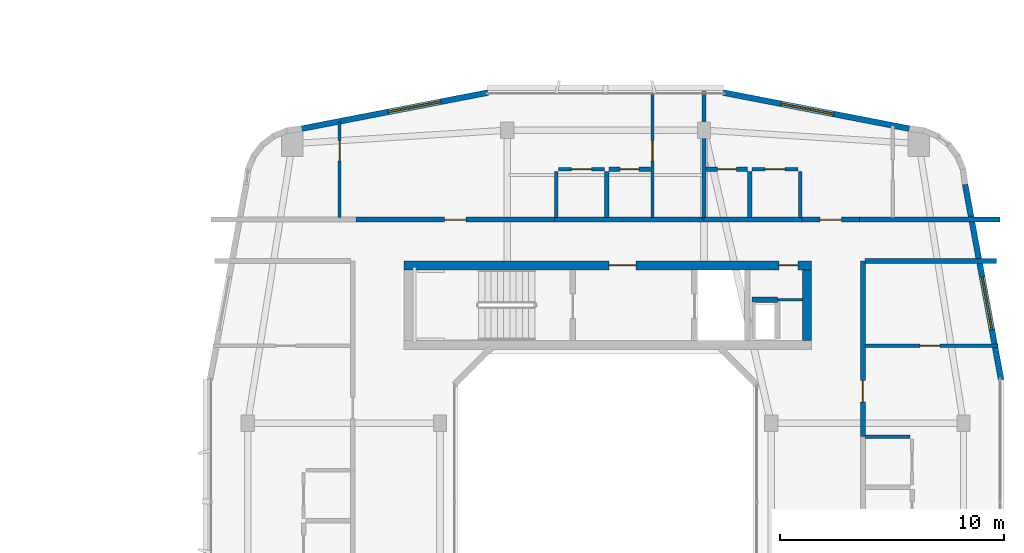
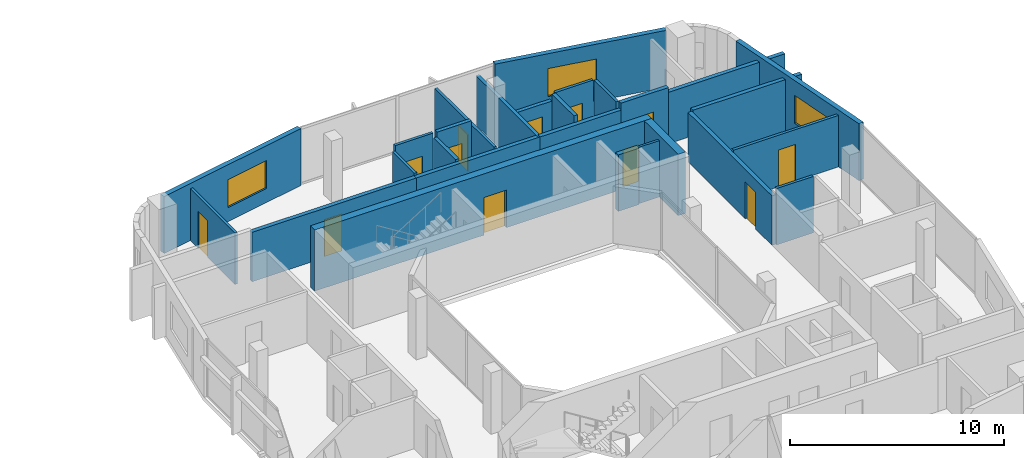
# One storey, part 19 of 26: 27 walls, 12 doors, 3 windows, 15 openings.
"""IFC4 building model written with IfcOpenShell, lengths in metres."""

from ifc_helpers import new_model, si_unit, derived_unit, direction, frame, frame_2d, origin, place, context, subcontext, project, spatial, rectangle, extrude, material, layer, layer_set, type_object, element, fill, save


model = new_model("IFC4")

# Units and contexts
model_context = context("Model", 3, precision=1e-05, world=origin(), true_north=direction((0.0, 1.0)))
body_context = subcontext(model_context, "Body", "Model", "MODEL_VIEW")
ifc_project = project(units=[si_unit("LENGTHUNIT", "METRE"), si_unit("AREAUNIT", "SQUARE_METRE"), si_unit("VOLUMEUNIT", "CUBIC_METRE"), si_unit("PLANEANGLEUNIT", "RADIAN"), si_unit("MASSUNIT", "GRAM", prefix="KILO"), derived_unit("THERMALTRANSMITTANCEUNIT", [(si_unit("POWERUNIT", "WATT"), 1), (si_unit("LENGTHUNIT", "METRE"), -2), (si_unit("THERMODYNAMICTEMPERATUREUNIT", "KELVIN"), -1)])], contexts=[model_context])

# Site, building, storey
site_placement = place(None, origin())
site = spatial("IfcSite", under=ifc_project, at=site_placement, CompositionType="ELEMENT")
building_placement = place(site_placement, origin())
building = spatial("IfcBuilding", under=site, at=building_placement, Name="Kivonza Crest Hotel", CompositionType="ELEMENT")
storey_placement = place(building_placement, frame((0.0, 0.0, 95.0)))
storey = spatial("IfcBuildingStorey", under=building, at=storey_placement, Name="L25", CompositionType="ELEMENT", Elevation=95.0)

# Walls
ifc_material_1 = material(Name="High-density acoustic masonry inter-tenancy wall", Category="masonry")
ifc_layer_1 = layer(ifc_material_1, 0.179931640625)
ifc_layer_set_1 = layer_set([ifc_layer_1], Name="High-density acoustic masonry inter-tenancy wall")
wall_type_1 = type_object("IfcWallType", Name="WL-ACOU-180", PredefinedType="SOLIDWALL", material=ifc_layer_set_1)
wall_1_placement = place(storey_placement, frame((81.39990234375, 37.60009765625, 0.0), z_axis=(0.0, 0.0, 1.0), x_axis=(0.0, 1.0, 0.0)))
element("IfcWall", 1, at=wall_1_placement, inside=storey, type_object=wall_type_1, Name="L25 interior partition WA-L25-T2N-DIV1", PredefinedType="SOLIDWALL", context=body_context, shape_type="SweptSolid", body=[
    extrude(rectangle(XDim=5.739990234375, YDim=0.179931640625, at=frame_2d((2.8701171875, 0.0))), origin(), (0.0, 0.0, 1.0), 2.824951171875),
])
ifc_material_2 = material(Name="Autoclaved aerated concrete blockwork", Category="masonry")
ifc_layer_2 = layer(ifc_material_2, 0.219970703125)
ifc_layer_set_2 = layer_set([ifc_layer_2], Name="Autoclaved aerated concrete blockwork")
wall_type_2 = type_object("IfcWallType", Name="WL-ACOU-220", PredefinedType="SOLIDWALL", material=ifc_layer_set_2)
wall_2_placement = place(storey_placement, frame((74.719970703125, 37.60009765625, 0.0), z_axis=(0.0, 0.0, 1.0), x_axis=(1.0, 0.0, 0.0)))
element("IfcWall", 2, at=wall_2_placement, inside=storey, type_object=wall_type_2, Name="L25 interior partition WA-L25-A01-RCORR", PredefinedType="SOLIDWALL", context=body_context, shape_type="SweptSolid", body=[
    extrude(rectangle(XDim=6.679931640625, YDim=0.219970703125, at=frame_2d((3.33984375, 0.0))), origin(), (0.0, 0.0, 1.0), 2.824951171875),
])

# Wall, opening, door
wall_3_placement = place(storey_placement, frame((65.85009765625, 37.60009765625, 0.0), z_axis=(0.0, 0.0, 1.0), x_axis=(1.0, 0.0, 0.0)))
wall_3 = element("IfcWall", 3, at=wall_3_placement, inside=storey, type_object=wall_type_2, Name="L25 interior partition WA-L25-A01-MCORR", PredefinedType="SOLIDWALL", context=body_context, shape_type="SweptSolid", body=[
    extrude(rectangle(XDim=8.869873046875, YDim=0.219970703125, at=frame_2d((4.43505859375, 0.0))), origin(), (0.0, 0.0, 1.0), 2.824951171875),
])
opening_1_placement = place(wall_3_placement, frame((3.9599609375, 0.0, 0.0)))
opening_1 = element("IfcOpeningElement", 4, at=opening_1_placement, cuts=wall_3, Name="Opening DU-60", PredefinedType="OPENING", context=body_context, shape_type="SweptSolid", body=[
    extrude(rectangle(XDim=0.949951171875, YDim=2.10009765625, at=frame_2d((0.47509765625, 1.050048828125))), frame((0.0, 0.1201171875, 0.0), z_axis=(0.0, -1.0, 0.0), x_axis=(1.0, 0.0, 0.0)), (0.0, 0.0, 1.0), 0.239990234375),
])
ifc_material_3 = material(Name="Hardwood timber oak", Category="wood")
door_type_1 = type_object("IfcDoorType", Name="DR-UNIT-950", OperationType="NOTDEFINED", PredefinedType="DOOR", material=ifc_material_3)
door_1_placement = place(opening_1_placement, origin())
door_1 = element("IfcDoor", 5, at=door_1_placement, inside=storey, type_object=door_type_1, Name="L25 A01 apartment entrance fire door", OperationType="SINGLE_SWING_LEFT", OverallHeight=2.10009765625, OverallWidth=0.949951171875, PredefinedType="DOOR", context=body_context, shape_type="SweptSolid", body=[
    extrude(rectangle(XDim=0.949951171875, YDim=2.10009765625, at=frame_2d((0.47509765625, 1.050048828125))), frame((0.0, 0.02490234375, 0.0), z_axis=(0.0, -1.0, 0.0), x_axis=(1.0, 0.0, 0.0)), (0.0, 0.0, 1.0), 0.050048828125),
])
fill(opening_1, door_1)

# Walls
wall_4_placement = place(storey_placement, frame((81.39990234375, 37.60009765625, 0.0), z_axis=(0.0, 0.0, 1.0), x_axis=(1.0, 0.0, 0.0)))
element("IfcWall", 6, at=wall_4_placement, inside=storey, type_object=wall_type_2, Name="L25 interior partition WA-L25-A02-LCORR", PredefinedType="SOLIDWALL", context=body_context, shape_type="SweptSolid", body=[
    extrude(rectangle(XDim=4.380126953125, YDim=0.219970703125, at=frame_2d((2.18994140625, 0.0))), origin(), (0.0, 0.0, 1.0), 2.824951171875),
])
wall_5_placement = place(storey_placement, frame((88.35009765625, 37.60009765625, 0.0), z_axis=(0.0, 0.0, 1.0), x_axis=(1.0, 0.0, 0.0)))
element("IfcWall", 7, at=wall_5_placement, inside=storey, type_object=wall_type_2, Name="L25 interior partition WA-L25-A02-RCORR", PredefinedType="SOLIDWALL", context=body_context, shape_type="SweptSolid", body=[
    extrude(rectangle(XDim=6.289794921875, YDim=0.219970703125, at=frame_2d((3.14501953125, 0.0))), origin(), (0.0, 0.0, 1.0), 2.945068359375),
])

# Wall, opening, door
wall_6_placement = place(storey_placement, frame((85.780029296875, 37.60009765625, 0.0), z_axis=(0.0, 0.0, 1.0), x_axis=(1.0, 0.0, 0.0)))
wall_6 = element("IfcWall", 8, at=wall_6_placement, inside=storey, type_object=wall_type_2, Name="L25 interior partition WA-L25-A02-MCORR", PredefinedType="SOLIDWALL", context=body_context, shape_type="SweptSolid", body=[
    extrude(rectangle(XDim=2.570068359375, YDim=0.219970703125, at=frame_2d((1.28515625, 0.0))), origin(), (0.0, 0.0, 1.0), 3.219970703125),
])
opening_2_placement = place(wall_6_placement, frame((0.81005859375, 0.0, 0.0)))
opening_2 = element("IfcOpeningElement", 9, at=opening_2_placement, cuts=wall_6, Name="Opening DU-60", PredefinedType="OPENING", context=body_context, shape_type="SweptSolid", body=[
    extrude(rectangle(XDim=0.949951171875, YDim=2.10009765625, at=frame_2d((0.47509765625, 1.050048828125))), frame((0.0, 0.1201171875, 0.0), z_axis=(0.0, -1.0, 0.0), x_axis=(1.0, 0.0, 0.0)), (0.0, 0.0, 1.0), 0.239990234375),
])
door_2_placement = place(opening_2_placement, origin())
door_2 = element("IfcDoor", 10, at=door_2_placement, inside=storey, type_object=door_type_1, Name="L25 A02 apartment entrance fire door", OperationType="SINGLE_SWING_RIGHT", OverallHeight=2.10009765625, OverallWidth=0.949951171875, PredefinedType="DOOR", context=body_context, shape_type="SweptSolid", body=[
    extrude(rectangle(XDim=0.949951171875, YDim=2.10009765625, at=frame_2d((0.47509765625, 1.050048828125))), frame((0.0, 0.02490234375, 0.0), z_axis=(0.0, -1.0, 0.0), x_axis=(1.0, 0.0, 0.0)), (0.0, 0.0, 1.0), 0.050048828125),
])
fill(opening_2, door_2)

# Wall
wall_7_placement = place(storey_placement, frame((88.60009765625, 35.760009765625, 0.0), z_axis=(0.0, 0.0, 1.0), x_axis=(1.0, 0.0, 0.0)))
element("IfcWall", 11, at=wall_7_placement, inside=storey, type_object=wall_type_2, Name="L25 interior partition WA-L25-T2E-ENDN", PredefinedType="SOLIDWALL", context=body_context, shape_type="SweptSolid", body=[
    extrude(rectangle(XDim=5.8798828125, YDim=0.219970703125, at=frame_2d((2.93994140625, 0.0))), origin(), (0.0, 0.0, 1.0), 2.945068359375),
])

# Wall, opening, door
wall_8_placement = place(storey_placement, frame((88.5, 27.89990234375, 0.0), z_axis=(0.0, 0.0, 1.0), x_axis=(0.0, 1.0, 0.0)))
wall_8 = element("IfcWall", 12, at=wall_8_placement, inside=storey, type_object=wall_type_2, Name="L25 interior partition WA-L25-A08-MCORR", PredefinedType="SOLIDWALL", context=body_context, shape_type="SweptSolid", body=[
    extrude(rectangle(XDim=7.860107421875, YDim=0.219970703125, at=frame_2d((3.93017578125, 0.0))), origin(), (0.0, 0.0, 1.0), 2.824951171875),
])
opening_3_placement = place(wall_8_placement, frame((1.554931640625, 0.0, 0.0)))
opening_3 = element("IfcOpeningElement", 13, at=opening_3_placement, cuts=wall_8, Name="Opening DU-60", PredefinedType="OPENING", context=body_context, shape_type="SweptSolid", body=[
    extrude(rectangle(XDim=0.949951171875, YDim=2.10009765625, at=frame_2d((0.47509765625, 1.050048828125))), frame((0.0, 0.1201171875, 0.0), z_axis=(0.0, -1.0, 0.0), x_axis=(1.0, 0.0, 0.0)), (0.0, 0.0, 1.0), 0.239990234375),
])
door_3_placement = place(opening_3_placement, frame((0.949951171875, 0.0, 0.0), z_axis=(0.0, 0.0, 1.0), x_axis=(-1.0, 0.0, 0.0)))
door_3 = element("IfcDoor", 14, at=door_3_placement, inside=storey, type_object=door_type_1, Name="L25 A08 apartment entrance fire door", OperationType="SINGLE_SWING_RIGHT", OverallHeight=2.10009765625, OverallWidth=0.949951171875, PredefinedType="DOOR", context=body_context, shape_type="SweptSolid", body=[
    extrude(rectangle(XDim=0.949951171875, YDim=2.10009765625, at=frame_2d((0.47509765625, 1.050048828125))), frame((0.0, 0.02490234375, 0.0), z_axis=(0.0, -1.0, 0.0), x_axis=(1.0, 0.0, 0.0)), (0.0, 0.0, 1.0), 0.050048828125),
])
fill(opening_3, door_3)

# Wall, openings, doors
ifc_material_4 = material(Name="Concrete C50/60", Category="concrete")
ifc_layer_3 = layer(ifc_material_4, 0.39990234375)
ifc_layer_set_3 = layer_set([ifc_layer_3], Name="Concrete C50/60")
wall_type_3 = type_object("IfcWallType", Name="WL-CORE-400", PredefinedType="SHEAR", material=ifc_layer_set_3)
wall_9_placement = place(storey_placement, frame((68.0, 35.56005859375, 0.0), z_axis=(0.0, 0.0, 1.0), x_axis=(1.0, 0.0, 0.0)))
wall_9 = element("IfcWall", 15, at=wall_9_placement, inside=storey, type_object=wall_type_3, Name="Core wall T2-N North L25", PredefinedType="SHEAR", context=body_context, shape_type="SweptSolid", body=[
    extrude(rectangle(XDim=18.199951171875, YDim=0.39990234375, at=frame_2d((9.10009765625, 0.0))), origin(), (0.0, 0.0, 1.0), 3.5),
])
opening_4_placement = place(wall_9_placement, frame((9.14990234375, 0.0, 0.0)))
opening_4 = element("IfcOpeningElement", 16, at=opening_4_placement, cuts=wall_9, Name="Opening DF-60", PredefinedType="OPENING", context=body_context, shape_type="SweptSolid", body=[
    extrude(rectangle(XDim=1.199951171875, YDim=2.14990234375, at=frame_2d((0.60009765625, 1.074951171875))), frame((0.0, 0.2099609375, 0.0), z_axis=(0.0, -1.0, 0.0), x_axis=(1.0, 0.0, 0.0)), (0.0, 0.0, 1.0), 0.419921875),
])
opening_5_placement = place(wall_9_placement, frame((16.75, 0.0, 0.0)))
opening_5 = element("IfcOpeningElement", 17, at=opening_5_placement, cuts=wall_9, Name="Opening DF-60R", PredefinedType="OPENING", context=body_context, shape_type="SweptSolid", body=[
    extrude(rectangle(XDim=0.85009765625, YDim=2.10009765625, at=frame_2d((0.425048828125, 1.050048828125))), frame((0.0, 0.2099609375, 0.0), z_axis=(0.0, -1.0, 0.0), x_axis=(1.0, 0.0, 0.0)), (0.0, 0.0, 1.0), 0.419921875),
])
door_type_2 = type_object("IfcDoorType", Name="DR-FD60-1200", OperationType="NOTDEFINED", PredefinedType="DOOR", material=ifc_material_3)
door_4_placement = place(opening_4_placement, origin())
door_4 = element("IfcDoor", 18, at=door_4_placement, inside=storey, type_object=door_type_2, Name="L25 T2-N firefighting lobby fire door", OperationType="SINGLE_SWING_RIGHT", OverallHeight=2.14990234375, OverallWidth=1.199951171875, PredefinedType="DOOR", context=body_context, shape_type="SweptSolid", body=[
    extrude(rectangle(XDim=1.199951171875, YDim=2.14990234375, at=frame_2d((0.60009765625, 1.074951171875))), frame((0.0, 0.02490234375, 0.0), z_axis=(0.0, -1.0, 0.0), x_axis=(1.0, 0.0, 0.0)), (0.0, 0.0, 1.0), 0.050048828125),
])
fill(opening_4, door_4)
door_type_3 = type_object("IfcDoorType", Name="DR-FD60-850", OperationType="NOTDEFINED", PredefinedType="DOOR", material=ifc_material_3)
door_5_placement = place(opening_5_placement, origin())
door_5 = element("IfcDoor", 19, at=door_5_placement, inside=storey, type_object=door_type_3, Name="L25 T2-N core room door", OperationType="SINGLE_SWING_RIGHT", OverallHeight=2.10009765625, OverallWidth=0.85009765625, PredefinedType="DOOR", context=body_context, shape_type="SweptSolid", body=[
    extrude(rectangle(XDim=0.85009765625, YDim=2.10009765625, at=frame_2d((0.425048828125, 1.050048828125))), frame((0.0, 0.02490234375, 0.0), z_axis=(0.0, -1.0, 0.0), x_axis=(1.0, 0.0, 0.0)), (0.0, 0.0, 1.0), 0.050048828125),
])
fill(opening_5, door_5)

# Wall
wall_10_placement = place(storey_placement, frame((86.0, 32.199951171875, 0.0), z_axis=(0.0, 0.0, 1.0), x_axis=(0.0, 1.0, 0.0)))
element("IfcWall", 20, at=wall_10_placement, inside=storey, type_object=wall_type_3, Name="Core wall T2-N East L25", PredefinedType="SHEAR", context=body_context, shape_type="SweptSolid", body=[
    extrude(rectangle(XDim=3.16015625, YDim=0.39990234375, at=frame_2d((1.580078125, 0.0))), origin(), (0.0, 0.0, 1.0), 3.5),
])

# Wall, opening, window
ifc_material_5 = material(Name="Precast concrete C40/50", Category="concrete")
ifc_layer_4 = layer(ifc_material_5, 0.260009765625)
ifc_layer_set_4 = layer_set([ifc_layer_4], Name="Precast concrete C40/50")
wall_type_4 = type_object("IfcWallType", Name="WL-EXT-260", PredefinedType="STANDARD", material=ifc_layer_set_4)
wall_11_placement = place(storey_placement, frame((94.681884765625, 30.44189453125, 0.0), z_axis=(0.0, 0.0, 1.0), x_axis=(-0.181209963057, 0.983444431215, 0.0)))
wall_11 = element("IfcWall", 21, at=wall_11_placement, inside=storey, type_object=wall_type_4, Name="L25 T2 exterior insulated wall 18", PredefinedType="STANDARD", context=body_context, shape_type="SweptSolid", body=[
    extrude(rectangle(XDim=8.889404296875, YDim=0.260009765625, at=frame_2d((4.44482421875, 0.0))), origin(), (0.0, 0.0, 1.0), 3.25),
])
opening_6_placement = place(wall_11_placement, frame((2.27587890625, 0.0, 0.800048828125)))
opening_6 = element("IfcOpeningElement", 22, at=opening_6_placement, cuts=wall_11, Name="Opening WN-05", PredefinedType="OPENING", context=body_context, shape_type="SweptSolid", body=[
    extrude(rectangle(XDim=2.39990234375, YDim=1.60009765625, at=frame_2d((1.199951171875, 0.800048828125))), frame((0.0, 0.14013671875, 0.0), z_axis=(0.0, -1.0, 0.0), x_axis=(1.0, 0.0, 0.0)), (0.0, 0.0, 1.0), 0.280029296875),
])
ifc_material_6 = material(Name="Thermally broken bronze aluminium and low-E double glazing", Category="aluminium")
window_type = type_object("IfcWindowType", Name="WN-240x160", PartitioningType="TRIPLE_PANEL_VERTICAL", PredefinedType="WINDOW", material=ifc_material_6)
window_1_placement = place(opening_6_placement, origin())
window_1 = element("IfcWindow", 23, at=window_1_placement, inside=storey, type_object=window_type, Name="L25 T2 facade window 18", OverallHeight=1.60009765625, OverallWidth=2.39990234375, PartitioningType="SINGLE_PANEL", PredefinedType="WINDOW", context=body_context, shape_type="SweptSolid", body=[
    extrude(rectangle(XDim=2.39990234375, YDim=1.60009765625, at=frame_2d((1.199951171875, 0.800048828125))), frame((0.0, 0.030029296875, 0.0), z_axis=(0.0, -1.0, 0.0), x_axis=(1.0, 0.0, 0.0)), (0.0, 0.0, 1.0), 0.06005859375),
])
fill(opening_6, window_1)

wall_12_placement = place(storey_placement, frame((90.5830078125, 41.669921875, 0.0), z_axis=(0.0, 0.0, 1.0), x_axis=(-0.981750199588, 0.190175039396, 0.0)))
wall_12 = element("IfcWall", 24, at=wall_12_placement, inside=storey, type_object=wall_type_4, Name="L25 T2 exterior insulated wall 25", PredefinedType="STANDARD", context=body_context, shape_type="SweptSolid", body=[
    extrude(rectangle(XDim=8.476806640625, YDim=0.260009765625, at=frame_2d((4.23828125, 0.0))), origin(), (0.0, 0.0, 1.0), 3.25),
])
opening_7_placement = place(wall_12_placement, frame((3.4541015625, 0.0, 0.800048828125)))
opening_7 = element("IfcOpeningElement", 25, at=opening_7_placement, cuts=wall_12, Name="Opening WN-05", PredefinedType="OPENING", context=body_context, shape_type="SweptSolid", body=[
    extrude(rectangle(XDim=2.39990234375, YDim=1.60009765625, at=frame_2d((1.199951171875, 0.800048828125))), frame((0.0, 0.14013671875, 0.0), z_axis=(0.0, -1.0, 0.0), x_axis=(1.0, 0.0, 0.0)), (0.0, 0.0, 1.0), 0.280029296875),
])
window_2_placement = place(opening_7_placement, origin())
window_2 = element("IfcWindow", 26, at=window_2_placement, inside=storey, type_object=window_type, Name="L25 T2 facade window 25", OverallHeight=1.60009765625, OverallWidth=2.39990234375, PartitioningType="SINGLE_PANEL", PredefinedType="WINDOW", context=body_context, shape_type="SweptSolid", body=[
    extrude(rectangle(XDim=2.39990234375, YDim=1.60009765625, at=frame_2d((1.199951171875, 0.800048828125))), frame((0.0, 0.030029296875, 0.0), z_axis=(0.0, -1.0, 0.0), x_axis=(1.0, 0.0, 0.0)), (0.0, 0.0, 1.0), 0.06005859375),
])
fill(opening_7, window_2)

wall_13_placement = place(storey_placement, frame((71.739013671875, 43.281982421875, 0.0), z_axis=(0.0, 0.0, 1.0), x_axis=(-0.981750199588, -0.190175039396, 0.0)))
wall_13 = element("IfcWall", 27, at=wall_13_placement, inside=storey, type_object=wall_type_4, Name="L25 T2 exterior insulated wall 27", PredefinedType="STANDARD", context=body_context, shape_type="SweptSolid", body=[
    extrude(rectangle(XDim=8.476806640625, YDim=0.260009765625, at=frame_2d((4.23828125, 0.0))), origin(), (0.0, 0.0, 1.0), 3.25),
])
opening_8_placement = place(wall_13_placement, frame((2.138916015625, 0.0, 0.800048828125)))
opening_8 = element("IfcOpeningElement", 28, at=opening_8_placement, cuts=wall_13, Name="Opening WN-05", PredefinedType="OPENING", context=body_context, shape_type="SweptSolid", body=[
    extrude(rectangle(XDim=2.39990234375, YDim=1.60009765625, at=frame_2d((1.199951171875, 0.800048828125))), frame((0.0, 0.14013671875, 0.0), z_axis=(0.0, -1.0, 0.0), x_axis=(1.0, 0.0, 0.0)), (0.0, 0.0, 1.0), 0.280029296875),
])
window_3_placement = place(opening_8_placement, origin())
window_3 = element("IfcWindow", 29, at=window_3_placement, inside=storey, type_object=window_type, Name="L25 T2 facade window 27", OverallHeight=1.60009765625, OverallWidth=2.39990234375, PartitioningType="SINGLE_PANEL", PredefinedType="WINDOW", context=body_context, shape_type="SweptSolid", body=[
    extrude(rectangle(XDim=2.39990234375, YDim=1.60009765625, at=frame_2d((1.199951171875, 0.800048828125))), frame((0.0, 0.030029296875, 0.0), z_axis=(0.0, -1.0, 0.0), x_axis=(1.0, 0.0, 0.0)), (0.0, 0.0, 1.0), 0.06005859375),
])
fill(opening_8, window_3)

# Walls
ifc_material_7 = material(Name="Concrete blockwork fire-compartment wall", Category="masonry")
ifc_layer_5 = layer(ifc_material_7, 0.25)
ifc_layer_set_5 = layer_set([ifc_layer_5], Name="Concrete blockwork fire-compartment wall")
wall_type_5 = type_object("IfcWallType", Name="WL-FIRE-250", PredefinedType="SOLIDWALL", material=ifc_layer_set_5)
wall_14_placement = place(storey_placement, frame((83.550048828125, 34.02001953125, 0.0), z_axis=(0.0, 0.0, 1.0), x_axis=(1.0, 0.0, 0.0)))
element("IfcWall", 30, at=wall_14_placement, inside=storey, type_object=wall_type_5, Name="L25 interior partition WA-L25-T2-N-MEPR-H", PredefinedType="SOLIDWALL", context=body_context, shape_type="SweptSolid", body=[
    extrude(rectangle(XDim=1.1298828125, YDim=0.25, at=frame_2d((0.56494140625, 0.0))), origin(), (0.0, 0.0, 1.0), 3.219970703125),
])
ifc_material_8 = material(Name="Metal-stud gypsum board partition", Category="gypsum")
ifc_layer_6 = layer(ifc_material_8, 0.125)
ifc_layer_set_6 = layer_set([ifc_layer_6], Name="Metal-stud gypsum board partition")
wall_type_6 = type_object("IfcWallType", Name="WL-PART-125", PredefinedType="PARTITIONING", material=ifc_layer_set_6)
wall_15_placement = place(storey_placement, frame((84.679931640625, 34.02001953125, 0.0), z_axis=(0.0, 0.0, 1.0), x_axis=(1.0, 0.0, 0.0)))
element("IfcWall", 31, at=wall_15_placement, inside=storey, type_object=wall_type_6, Name="L25 interior partition WP-L25-T2-N-T2H", PredefinedType="PARTITIONING", context=body_context, shape_type="SweptSolid", body=[
    extrude(rectangle(XDim=1.1201171875, YDim=0.125, at=frame_2d((0.56005859375, 0.0))), origin(), (0.0, 0.0, 1.0), 3.219970703125),
])

# Wall, opening, door
ifc_material_9 = material(Name="Twin-stud acoustic gypsum board partition", Category="gypsum")
ifc_layer_7 = layer(ifc_material_9, 0.14990234375)
ifc_layer_set_7 = layer_set([ifc_layer_7], Name="Twin-stud acoustic gypsum board partition")
wall_type_7 = type_object("IfcWallType", Name="WL-PART-150", PredefinedType="PARTITIONING", material=ifc_layer_set_7)
wall_16_placement = place(storey_placement, frame((65.110107421875, 37.699951171875, 0.0), z_axis=(0.0, 0.0, 1.0), x_axis=(0.0, 1.0, 0.0)))
wall_16 = element("IfcWall", 32, at=wall_16_placement, inside=storey, type_object=wall_type_7, Name="L25 interior partition WP-L25-A01-BDW1", PredefinedType="PARTITIONING", context=body_context, shape_type="SweptSolid", body=[
    extrude(rectangle(XDim=4.27001953125, YDim=0.14990234375, at=frame_2d((2.135009765625, 0.0))), origin(), (0.0, 0.0, 1.0), 2.945068359375),
])
opening_9_placement = place(wall_16_placement, frame((2.530029296875, 0.0, 0.0)))
opening_9 = element("IfcOpeningElement", 33, at=opening_9_placement, cuts=wall_16, Name="Opening DI-90", PredefinedType="OPENING", context=body_context, shape_type="SweptSolid", body=[
    extrude(rectangle(XDim=0.89990234375, YDim=2.10009765625, at=frame_2d((0.449951171875, 1.050048828125))), frame((0.0, 0.0849609375, 0.0), z_axis=(0.0, -1.0, 0.0), x_axis=(1.0, 0.0, 0.0)), (0.0, 0.0, 1.0), 0.169921875),
])
door_type_4 = type_object("IfcDoorType", Name="DR-INT-900", OperationType="NOTDEFINED", PredefinedType="DOOR", material=ifc_material_3)
door_6_placement = place(opening_9_placement, origin())
door_6 = element("IfcDoor", 34, at=door_6_placement, inside=storey, type_object=door_type_4, Name="L25 A01 bedroom 1 door", OperationType="SINGLE_SWING_RIGHT", OverallHeight=2.10009765625, OverallWidth=0.89990234375, PredefinedType="DOOR", context=body_context, shape_type="SweptSolid", body=[
    extrude(rectangle(XDim=0.89990234375, YDim=2.10009765625, at=frame_2d((0.449951171875, 1.050048828125))), frame((0.0, 0.02490234375, 0.0), z_axis=(0.0, -1.0, 0.0), x_axis=(1.0, 0.0, 0.0)), (0.0, 0.0, 1.0), 0.050048828125),
])
fill(opening_9, door_6)

wall_17_placement = place(storey_placement, frame((79.10009765625, 37.699951171875, 0.0), z_axis=(0.0, 0.0, 1.0), x_axis=(0.0, 1.0, 0.0)))
wall_17 = element("IfcWall", 35, at=wall_17_placement, inside=storey, type_object=wall_type_7, Name="L25 interior partition WP-L25-A01-BDW2", PredefinedType="PARTITIONING", context=body_context, shape_type="SweptSolid", body=[
    extrude(rectangle(XDim=5.5400390625, YDim=0.14990234375, at=frame_2d((2.77001953125, 0.0))), origin(), (0.0, 0.0, 1.0), 2.945068359375),
])
opening_10_placement = place(wall_17_placement, frame((2.530029296875, 0.0, 0.0)))
opening_10 = element("IfcOpeningElement", 36, at=opening_10_placement, cuts=wall_17, Name="Opening DI-90", PredefinedType="OPENING", context=body_context, shape_type="SweptSolid", body=[
    extrude(rectangle(XDim=0.89990234375, YDim=2.10009765625, at=frame_2d((0.449951171875, 1.050048828125))), frame((0.0, 0.0849609375, 0.0), z_axis=(0.0, -1.0, 0.0), x_axis=(1.0, 0.0, 0.0)), (0.0, 0.0, 1.0), 0.169921875),
])
door_7_placement = place(opening_10_placement, origin())
door_7 = element("IfcDoor", 37, at=door_7_placement, inside=storey, type_object=door_type_4, Name="L25 A01 bedroom 2 door", OperationType="SINGLE_SWING_LEFT", OverallHeight=2.10009765625, OverallWidth=0.89990234375, PredefinedType="DOOR", context=body_context, shape_type="SweptSolid", body=[
    extrude(rectangle(XDim=0.89990234375, YDim=2.10009765625, at=frame_2d((0.449951171875, 1.050048828125))), frame((0.0, 0.02490234375, 0.0), z_axis=(0.0, -1.0, 0.0), x_axis=(1.0, 0.0, 0.0)), (0.0, 0.0, 1.0), 0.050048828125),
])
fill(opening_10, door_7)

# Wall
wall_18_placement = place(storey_placement, frame((74.800048828125, 37.699951171875, 0.0), z_axis=(0.0, 0.0, 1.0), x_axis=(0.0, 1.0, 0.0)))
element("IfcWall", 38, at=wall_18_placement, inside=storey, type_object=wall_type_7, Name="L25 interior partition WP-L25-A01-KF", PredefinedType="PARTITIONING", context=body_context, shape_type="SweptSolid", body=[
    extrude(rectangle(XDim=2.050048828125, YDim=0.14990234375, at=frame_2d((1.02490234375, 0.0))), origin(), (0.0, 0.0, 1.0), 2.955078125),
])

# Wall, opening, door
wall_19_placement = place(storey_placement, frame((74.89990234375, 39.85009765625, 0.0), z_axis=(0.0, 0.0, 1.0), x_axis=(1.0, 0.0, 0.0)))
wall_19 = element("IfcWall", 39, at=wall_19_placement, inside=storey, type_object=wall_type_7, Name="L25 interior partition WP-L25-A01-KSVC", PredefinedType="PARTITIONING", context=body_context, shape_type="SweptSolid", body=[
    extrude(rectangle(XDim=2.050048828125, YDim=0.14990234375, at=frame_2d((1.02490234375, 0.0))), origin(), (0.0, 0.0, 1.0), 3.219970703125),
])
opening_11_placement = place(wall_19_placement, frame((0.574951171875, 0.0, 0.0)))
opening_11 = element("IfcOpeningElement", 40, at=opening_11_placement, cuts=wall_19, Name="Opening DI-90", PredefinedType="OPENING", context=body_context, shape_type="SweptSolid", body=[
    extrude(rectangle(XDim=0.89990234375, YDim=2.10009765625, at=frame_2d((0.449951171875, 1.050048828125))), frame((0.0, 0.0849609375, 0.0), z_axis=(0.0, -1.0, 0.0), x_axis=(1.0, 0.0, 0.0)), (0.0, 0.0, 1.0), 0.169921875),
])
door_8_placement = place(opening_11_placement, origin())
door_8 = element("IfcDoor", 41, at=door_8_placement, inside=storey, type_object=door_type_4, Name="L25 A01 apartment kitchen door", OperationType="SINGLE_SWING_LEFT", OverallHeight=2.10009765625, OverallWidth=0.89990234375, PredefinedType="DOOR", context=body_context, shape_type="SweptSolid", body=[
    extrude(rectangle(XDim=0.89990234375, YDim=2.10009765625, at=frame_2d((0.449951171875, 1.050048828125))), frame((0.0, 0.02490234375, 0.0), z_axis=(0.0, -1.0, 0.0), x_axis=(1.0, 0.0, 0.0)), (0.0, 0.0, 1.0), 0.050048828125),
])
fill(opening_11, door_8)

# Wall
wall_20_placement = place(storey_placement, frame((85.699951171875, 37.699951171875, 0.0), z_axis=(0.0, 0.0, 1.0), x_axis=(0.0, 1.0, 0.0)))
element("IfcWall", 42, at=wall_20_placement, inside=storey, type_object=wall_type_7, Name="L25 interior partition WP-L25-A02-KF", PredefinedType="PARTITIONING", context=body_context, shape_type="SweptSolid", body=[
    extrude(rectangle(XDim=2.050048828125, YDim=0.14990234375, at=frame_2d((1.02490234375, 0.0))), origin(), (0.0, 0.0, 1.0), 3.219970703125),
])

# Wall, opening, door
wall_21_placement = place(storey_placement, frame((83.550048828125, 39.85009765625, 0.0), z_axis=(0.0, 0.0, 1.0), x_axis=(1.0, 0.0, 0.0)))
wall_21 = element("IfcWall", 43, at=wall_21_placement, inside=storey, type_object=wall_type_7, Name="L25 interior partition WP-L25-A02-KSVC", PredefinedType="PARTITIONING", context=body_context, shape_type="SweptSolid", body=[
    extrude(rectangle(XDim=2.050048828125, YDim=0.14990234375, at=frame_2d((1.02490234375, 0.0))), origin(), (0.0, 0.0, 1.0), 3.219970703125),
])
opening_12_placement = place(wall_21_placement, frame((0.574951171875, 0.0, 0.0)))
opening_12 = element("IfcOpeningElement", 44, at=opening_12_placement, cuts=wall_21, Name="Opening DI-90", PredefinedType="OPENING", context=body_context, shape_type="SweptSolid", body=[
    extrude(rectangle(XDim=0.89990234375, YDim=2.10009765625, at=frame_2d((0.449951171875, 1.050048828125))), frame((0.0, 0.0849609375, 0.0), z_axis=(0.0, -1.0, 0.0), x_axis=(1.0, 0.0, 0.0)), (0.0, 0.0, 1.0), 0.169921875),
])
door_9_placement = place(opening_12_placement, origin())
door_9 = element("IfcDoor", 45, at=door_9_placement, inside=storey, type_object=door_type_4, Name="L25 A02 apartment kitchen door", OperationType="SINGLE_SWING_RIGHT", OverallHeight=2.10009765625, OverallWidth=0.89990234375, PredefinedType="DOOR", context=body_context, shape_type="SweptSolid", body=[
    extrude(rectangle(XDim=0.89990234375, YDim=2.10009765625, at=frame_2d((0.449951171875, 1.050048828125))), frame((0.0, 0.02490234375, 0.0), z_axis=(0.0, -1.0, 0.0), x_axis=(1.0, 0.0, 0.0)), (0.0, 0.0, 1.0), 0.050048828125),
])
fill(opening_12, door_9)

wall_22_placement = place(storey_placement, frame((88.60009765625, 31.9599609375, 0.0), z_axis=(0.0, 0.0, 1.0), x_axis=(1.0, 0.0, 0.0)))
wall_22 = element("IfcWall", 46, at=wall_22_placement, inside=storey, type_object=wall_type_7, Name="L25 interior partition WP-L25-A08-BD1", PredefinedType="PARTITIONING", context=body_context, shape_type="SweptSolid", body=[
    extrude(rectangle(XDim=5.93994140625, YDim=0.14990234375, at=frame_2d((2.969970703125, 0.0))), origin(), (0.0, 0.0, 1.0), 2.945068359375),
])
opening_13_placement = place(wall_22_placement, frame((2.449951171875, 0.0, 0.0)))
opening_13 = element("IfcOpeningElement", 47, at=opening_13_placement, cuts=wall_22, Name="Opening DI-90", PredefinedType="OPENING", context=body_context, shape_type="SweptSolid", body=[
    extrude(rectangle(XDim=0.89990234375, YDim=2.10009765625, at=frame_2d((0.449951171875, 1.050048828125))), frame((0.0, 0.0849609375, 0.0), z_axis=(0.0, -1.0, 0.0), x_axis=(1.0, 0.0, 0.0)), (0.0, 0.0, 1.0), 0.169921875),
])
door_10_placement = place(opening_13_placement, origin())
door_10 = element("IfcDoor", 48, at=door_10_placement, inside=storey, type_object=door_type_4, Name="L25 A08 bedroom door", OperationType="SINGLE_SWING_LEFT", OverallHeight=2.10009765625, OverallWidth=0.89990234375, PredefinedType="DOOR", context=body_context, shape_type="SweptSolid", body=[
    extrude(rectangle(XDim=0.89990234375, YDim=2.10009765625, at=frame_2d((0.449951171875, 1.050048828125))), frame((0.0, 0.02490234375, 0.0), z_axis=(0.0, -1.0, 0.0), x_axis=(1.0, 0.0, 0.0)), (0.0, 0.0, 1.0), 0.050048828125),
])
fill(opening_13, door_10)

# Walls
wall_23_placement = place(storey_placement, frame((88.60009765625, 27.89990234375, 0.0), z_axis=(0.0, 0.0, 1.0), x_axis=(1.0, 0.0, 0.0)))
element("IfcWall", 49, at=wall_23_placement, inside=storey, type_object=wall_type_7, Name="L25 interior partition WP-L25-A08-KF", PredefinedType="PARTITIONING", context=body_context, shape_type="SweptSolid", body=[
    extrude(rectangle(XDim=2.0, YDim=0.14990234375, at=frame_2d((1.0, 0.0))), origin(), (0.0, 0.0, 1.0), 3.219970703125),
])
ifc_material_10 = material(Name="Moisture-resistant plumbing chase partition wall", Category="gypsum")
ifc_layer_8 = layer(ifc_material_10, 0.199951171875)
ifc_layer_set_8 = layer_set([ifc_layer_8], Name="Moisture-resistant plumbing chase partition wall")
wall_type_8 = type_object("IfcWallType", Name="WL-PLUMB-200", PredefinedType="PLUMBINGWALL", material=ifc_layer_set_8)
wall_24_placement = place(storey_placement, frame((77.050048828125, 37.699951171875, 0.0), z_axis=(0.0, 0.0, 1.0), x_axis=(0.0, 1.0, 0.0)))
element("IfcWall", 50, at=wall_24_placement, inside=storey, type_object=wall_type_8, Name="L25 interior partition WW-L25-A01-BK", PredefinedType="PLUMBINGWALL", context=body_context, shape_type="SweptSolid", body=[
    extrude(rectangle(XDim=2.050048828125, YDim=0.199951171875, at=frame_2d((1.02490234375, 0.0))), origin(), (0.0, 0.0, 1.0), 2.955078125),
])

# Wall, opening, door
wall_25_placement = place(storey_placement, frame((77.14990234375, 39.85009765625, 0.0), z_axis=(0.0, 0.0, 1.0), x_axis=(1.0, 0.0, 0.0)))
wall_25 = element("IfcWall", 51, at=wall_25_placement, inside=storey, type_object=wall_type_8, Name="L25 interior partition WW-L25-A01-BSVC", PredefinedType="PLUMBINGWALL", context=body_context, shape_type="SweptSolid", body=[
    extrude(rectangle(XDim=1.85009765625, YDim=0.199951171875, at=frame_2d((0.925048828125, 0.0))), origin(), (0.0, 0.0, 1.0), 3.219970703125),
])
opening_14_placement = place(wall_25_placement, frame((0.5, 0.0, 0.0)))
opening_14 = element("IfcOpeningElement", 52, at=opening_14_placement, cuts=wall_25, Name="Opening DI-85", PredefinedType="OPENING", context=body_context, shape_type="SweptSolid", body=[
    extrude(rectangle(XDim=0.85009765625, YDim=2.10009765625, at=frame_2d((0.425048828125, 1.050048828125))), frame((0.0, 0.10986328125, 0.0), z_axis=(0.0, -1.0, 0.0), x_axis=(1.0, 0.0, 0.0)), (0.0, 0.0, 1.0), 0.219970703125),
])
door_type_5 = type_object("IfcDoorType", Name="DR-INT-850", OperationType="NOTDEFINED", PredefinedType="DOOR", material=ifc_material_3)
door_11_placement = place(opening_14_placement, origin())
door_11 = element("IfcDoor", 53, at=door_11_placement, inside=storey, type_object=door_type_5, Name="L25 A01 apartment bathroom door", OperationType="SINGLE_SWING_RIGHT", OverallHeight=2.10009765625, OverallWidth=0.85009765625, PredefinedType="DOOR", context=body_context, shape_type="SweptSolid", body=[
    extrude(rectangle(XDim=0.85009765625, YDim=2.10009765625, at=frame_2d((0.425048828125, 1.050048828125))), frame((0.0, 0.02490234375, 0.0), z_axis=(0.0, -1.0, 0.0), x_axis=(1.0, 0.0, 0.0)), (0.0, 0.0, 1.0), 0.050048828125),
])
fill(opening_14, door_11)

# Wall
wall_26_placement = place(storey_placement, frame((83.449951171875, 37.699951171875, 0.0), z_axis=(0.0, 0.0, 1.0), x_axis=(0.0, 1.0, 0.0)))
element("IfcWall", 54, at=wall_26_placement, inside=storey, type_object=wall_type_8, Name="L25 interior partition WW-L25-A02-BK", PredefinedType="PLUMBINGWALL", context=body_context, shape_type="SweptSolid", body=[
    extrude(rectangle(XDim=2.050048828125, YDim=0.199951171875, at=frame_2d((1.02490234375, 0.0))), origin(), (0.0, 0.0, 1.0), 3.219970703125),
])

# Wall, opening, door
wall_27_placement = place(storey_placement, frame((81.5, 39.85009765625, 0.0), z_axis=(0.0, 0.0, 1.0), x_axis=(1.0, 0.0, 0.0)))
wall_27 = element("IfcWall", 55, at=wall_27_placement, inside=storey, type_object=wall_type_8, Name="L25 interior partition WW-L25-A02-BSVC", PredefinedType="PLUMBINGWALL", context=body_context, shape_type="SweptSolid", body=[
    extrude(rectangle(XDim=1.85009765625, YDim=0.199951171875, at=frame_2d((0.925048828125, 0.0))), origin(), (0.0, 0.0, 1.0), 2.824951171875),
])
opening_15_placement = place(wall_27_placement, frame((0.5, 0.0, 0.0)))
opening_15 = element("IfcOpeningElement", 56, at=opening_15_placement, cuts=wall_27, Name="Opening DI-85", PredefinedType="OPENING", context=body_context, shape_type="SweptSolid", body=[
    extrude(rectangle(XDim=0.85009765625, YDim=2.10009765625, at=frame_2d((0.425048828125, 1.050048828125))), frame((0.0, 0.10986328125, 0.0), z_axis=(0.0, -1.0, 0.0), x_axis=(1.0, 0.0, 0.0)), (0.0, 0.0, 1.0), 0.219970703125),
])
door_12_placement = place(opening_15_placement, origin())
door_12 = element("IfcDoor", 57, at=door_12_placement, inside=storey, type_object=door_type_5, Name="L25 A02 apartment bathroom door", OperationType="SINGLE_SWING_LEFT", OverallHeight=2.10009765625, OverallWidth=0.85009765625, PredefinedType="DOOR", context=body_context, shape_type="SweptSolid", body=[
    extrude(rectangle(XDim=0.85009765625, YDim=2.10009765625, at=frame_2d((0.425048828125, 1.050048828125))), frame((0.0, 0.02490234375, 0.0), z_axis=(0.0, -1.0, 0.0), x_axis=(1.0, 0.0, 0.0)), (0.0, 0.0, 1.0), 0.050048828125),
])
fill(opening_15, door_12)

save(model, "model.ifc")
